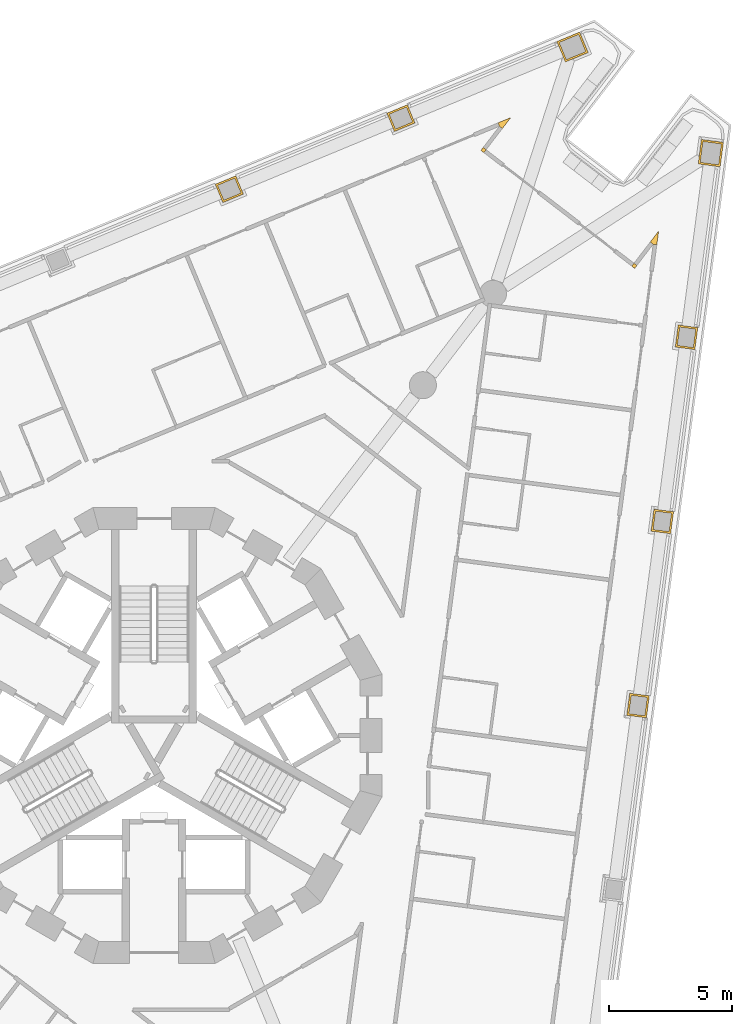
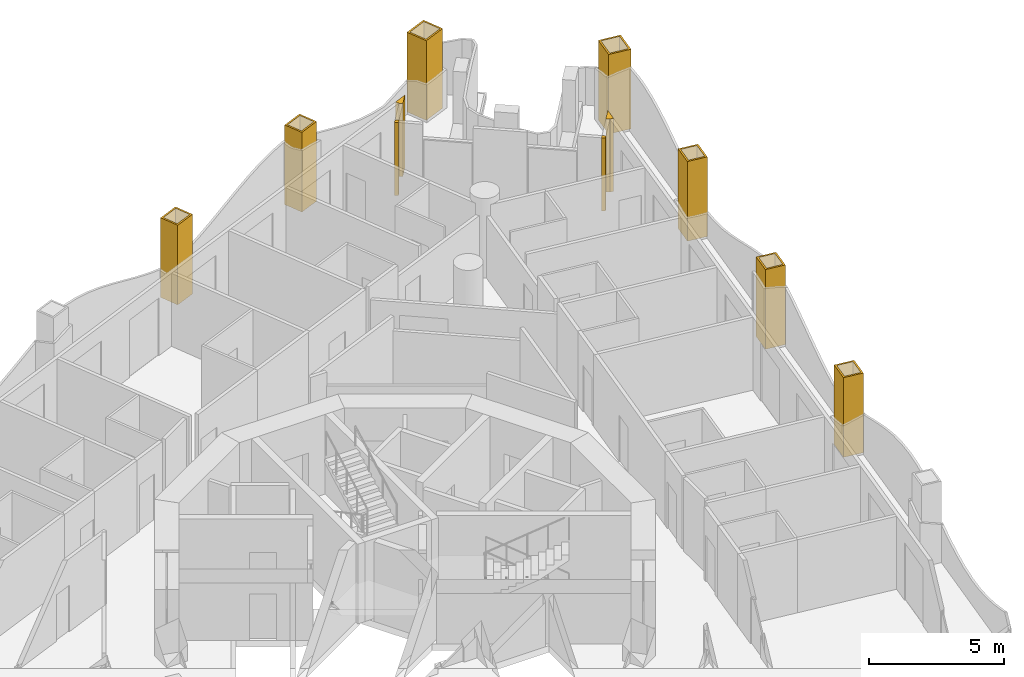
# One storey, part 17 of 18: 11 coverings.
"""IFC4 building model written with IfcOpenShell, lengths in metres."""

import ifcopenshell
import ifcopenshell.guid

model = None  # the IFC model being written
_history = None  # IfcOwnerHistory: only IFC2X3 demands one
_inside = {}  # id of a spatial element -> (the spatial element, [elements in it])
_under = {}  # id of a project, library or spatial element -> (it, [spatial elements below it])
_declared = {}  # id of a project -> (the project, [libraries it declares])
_typed = {}  # id of a type object -> (the type object, [elements of that type])
_made_of = {}  # id of a material, layer set ... -> (it, [elements and type objects made of it])


def new_model(schema):
    """Start an empty IFC model of exactly this schema.

    Asked for "IFC4X3", IfcOpenShell would pick the latest addendum, in which some entities
    have other attributes; the version numbers below select the first issue.
    IFC2X3 requires an IfcOwnerHistory on every rooted entity: one is made here for all.
    """
    global model, _history
    if schema == "IFC4X3":
        model = ifcopenshell.file(schema_version=(4, 3, 0, 0))
    else:
        model = ifcopenshell.file(schema=schema)
    _inside.clear()
    _under.clear()
    _declared.clear()
    _typed.clear()
    _made_of.clear()
    _history = None
    if model.schema == "IFC2X3":
        org = make("IfcOrganization", Name="unknown")
        user = make(
            "IfcPersonAndOrganization",
            ThePerson=make("IfcPerson", FamilyName="unknown"),
            TheOrganization=org,
        )
        app = make(
            "IfcApplication",
            ApplicationDeveloper=org,
            Version="unknown",
            ApplicationFullName="unknown",
            ApplicationIdentifier="unknown",
        )
        _history = make(
            "IfcOwnerHistory",
            OwningUser=user,
            OwningApplication=app,
            ChangeAction="ADDED",
            CreationDate=0,
        )
    return model


def make(cls, **values):
    """One entity of the class cls with the attributes given. An attribute that is None is left unset."""
    return model.create_entity(
        cls, **{name: value for name, value in values.items() if value is not None}
    )


def rooted(cls, **values):
    """An entity with a GlobalId (a new one), such as an element, a storey or a relation."""
    return make(cls, GlobalId=ifcopenshell.guid.new(), OwnerHistory=_history, **values)


def si_unit(unit_type, name, prefix=None):
    """IfcSIUnit, for example si_unit("LENGTHUNIT", "METRE", prefix="MILLI")."""
    return make("IfcSIUnit", UnitType=unit_type, Prefix=prefix, Name=name)


def assignment(units):
    """IfcUnitAssignment: the units of a project."""
    return None if units is None else make("IfcUnitAssignment", Units=units)


def point(xyz):
    """IfcCartesianPoint."""
    return None if xyz is None else make("IfcCartesianPoint", Coordinates=xyz)


def direction(xyz):
    """IfcDirection."""
    return None if xyz is None else make("IfcDirection", DirectionRatios=xyz)


def frame(location, z_axis=None, x_axis=None):
    """IfcAxis2Placement3D, a coordinate frame: its origin and axes. An axis left out is left unset."""
    return make(
        "IfcAxis2Placement3D",
        Location=point(location),
        Axis=direction(z_axis),
        RefDirection=direction(x_axis),
    )


def origin():
    """The frame at (0, 0, 0) with its axes left unset."""
    return frame((0.0, 0.0, 0.0))


def place(relative_to, where):
    """IfcLocalPlacement: puts the frame where relative to a parent placement (None: the world)."""
    return make(
        "IfcLocalPlacement", PlacementRelTo=relative_to, RelativePlacement=where
    )


def context(
    kind, dimensions, precision=None, world=None, true_north=None, identifier=None
):
    """IfcGeometricRepresentationContext, for example the 3D "Model" context."""
    return make(
        "IfcGeometricRepresentationContext",
        ContextIdentifier=identifier,
        ContextType=kind,
        CoordinateSpaceDimension=dimensions,
        Precision=precision,
        WorldCoordinateSystem=world,
        TrueNorth=true_north,
    )


def subcontext(parent, identifier, kind, view, scale=None):
    """IfcGeometricRepresentationSubContext, for example "Body" below "Model"."""
    return make(
        "IfcGeometricRepresentationSubContext",
        ContextIdentifier=identifier,
        ContextType=kind,
        ParentContext=parent,
        TargetScale=scale,
        TargetView=view,
    )


def project(units=None, contexts=None):
    """IfcProject with its units and contexts."""
    return rooted(
        "IfcProject",
        Name="project",
        RepresentationContexts=contexts,
        UnitsInContext=assignment(units),
    )


def spatial(cls, under=None, at=None, **own):
    """A site, building, storey or space (cls), placed at a placement, below another one or the project."""
    s = rooted(cls, ObjectPlacement=at, **own)
    if under is not None:
        _under.setdefault(under.id(), (under, []))[1].append(s)
    return s


def polyline(points):
    """IfcPolyline through the points."""
    return make("IfcPolyline", Points=[point(p) for p in points])


def outline(outer, holes=None, kind="AREA"):
    """IfcArbitraryClosedProfileDef: a profile drawn as a closed curve; with holes, ...WithVoids."""
    if holes is None:
        return make("IfcArbitraryClosedProfileDef", ProfileType=kind, OuterCurve=outer)
    return make(
        "IfcArbitraryProfileDefWithVoids",
        ProfileType=kind,
        OuterCurve=outer,
        InnerCurves=holes,
    )


def extrude(swept, where, along, depth):
    """IfcExtrudedAreaSolid: the profile swept, set in the frame where, extruded along a direction by depth."""
    return make(
        "IfcExtrudedAreaSolid",
        SweptArea=swept,
        Position=where,
        ExtrudedDirection=direction(along),
        Depth=depth,
    )


def shape(context_of_items, identifier, shape_type, items):
    """IfcShapeRepresentation: the items that make up one representation, for example the "Body"."""
    return make(
        "IfcShapeRepresentation",
        ContextOfItems=context_of_items,
        RepresentationIdentifier=identifier,
        RepresentationType=shape_type,
        Items=items,
    )


def material(Name=None, Category=None):
    """IfcMaterial."""
    return make("IfcMaterial", Name=Name, Category=Category)


def layer(
    of_material, thickness, ventilated=None, Name=None, Category=None, Priority=None
):
    """IfcMaterialLayer: one layer of a wall or slab, of a material (None: an air gap)."""
    return make(
        "IfcMaterialLayer",
        Material=of_material,
        LayerThickness=thickness,
        IsVentilated=ventilated,
        Name=Name,
        Category=Category,
        Priority=Priority,
    )


def layer_set(layers, Name=None):
    """IfcMaterialLayerSet."""
    return make("IfcMaterialLayerSet", MaterialLayers=layers, LayerSetName=Name)


def made_of(thing, what):
    """Note that an element or type object is made of a material, layer set ...; save() writes the relation."""
    if what is not None:
        _made_of.setdefault(what.id(), (what, []))[1].append(thing)
    return thing


def type_object(cls, material=None, **own):
    """A type object (cls), such as IfcWallType, which elements share."""
    return made_of(rooted(cls, **own), material)


def element(
    cls,
    number,
    at=None,
    inside=None,
    cuts=None,
    type_object=None,
    material=None,
    context=None,
    identifier="Body",
    shape_type=None,
    held_by="IfcProductDefinitionShape",
    body=None,
    shapes=None,
    **own,
):
    """One element of the class cls, such as IfcWall. Its Tag is "e" and its number.

    at: its placement. inside: the storey or other place that contains it. cuts: it is an
    opening in that element (IfcRelVoidsElement). A single representation is given by context,
    identifier, shape_type and body (its items); several are given by shapes. held_by: the class
    of the entity that holds the representations. save() writes the other relations.
    """
    e = rooted(cls, Tag="e%d" % number, ObjectPlacement=at, **own)
    if body is not None:
        shapes = [shape(context, identifier, shape_type, body)]
    if shapes is not None:
        e.Representation = make(held_by, Representations=shapes)
    if inside is not None:
        _inside.setdefault(inside.id(), (inside, []))[1].append(e)
    if cuts is not None:
        rooted(
            "IfcRelVoidsElement", RelatingBuildingElement=cuts, RelatedOpeningElement=e
        )
    if type_object is not None:
        _typed.setdefault(type_object.id(), (type_object, []))[1].append(e)
    return made_of(e, material)


def aggregate(whole, parts):
    """IfcRelAggregates: a whole, such as a stair, and the parts it consists of."""
    return rooted("IfcRelAggregates", RelatingObject=whole, RelatedObjects=parts)


def save(model, path):
    """Write the relations noted so far, then the file.

    IfcRelAggregates (storeys below a building ...), IfcRelContainedInSpatialStructure (elements
    in a storey), IfcRelDefinesByType, IfcRelAssociatesMaterial and IfcRelDeclares: one each for
    every whole, place, type object, material and project.
    """
    for whole, parts in _under.values():
        aggregate(whole, parts)
    for where, things in _inside.values():
        rooted(
            "IfcRelContainedInSpatialStructure",
            RelatedElements=things,
            RelatingStructure=where,
        )
    for kind, things in _typed.values():
        rooted("IfcRelDefinesByType", RelatedObjects=things, RelatingType=kind)
    for what, things in _made_of.values():
        rooted("IfcRelAssociatesMaterial", RelatedObjects=things, RelatingMaterial=what)
    for by, libraries in _declared.values():
        rooted("IfcRelDeclares", RelatingContext=by, RelatedDefinitions=libraries)
    model.write(path)


model = new_model("IFC4")

# Units and contexts
model_context = context("Model", 3, precision=1e-05, world=origin(), true_north=direction((0.0, 1.0)))
body_context = subcontext(model_context, "Body", "Model", "MODEL_VIEW")
ifc_project = project(units=[si_unit("LENGTHUNIT", "METRE"), si_unit("AREAUNIT", "SQUARE_METRE"), si_unit("VOLUMEUNIT", "CUBIC_METRE"), si_unit("PLANEANGLEUNIT", "RADIAN"), si_unit("MASSUNIT", "GRAM", prefix="KILO")], contexts=[model_context])

# Site, building, storey
site_placement = place(None, origin())
site = spatial("IfcSite", under=ifc_project, at=site_placement, CompositionType="ELEMENT")
building_placement = place(site_placement, origin())
building = spatial("IfcBuilding", under=site, at=building_placement, Name="Trine Commons Tower", CompositionType="ELEMENT")
storey_placement = place(building_placement, frame((0.0, 0.0, 145.800048828125)))
storey = spatial("IfcBuildingStorey", under=building, at=storey_placement, Name="L37", CompositionType="ELEMENT", Elevation=145.800048828125)

# Coverings
ifc_material_1 = material(Name="Aluminium-framed insulated wall panel", Category="aluminium")
ifc_layer_1 = layer(ifc_material_1, 0.14990234375)
ifc_layer_set_1 = layer_set([ifc_layer_1], Name="Aluminium-framed insulated wall panel")
covering_type_1 = type_object("IfcCoveringType", Name="Glazing corner post, aluminium", PredefinedType="CLADDING", material=ifc_layer_set_1)
covering_1_placement = place(storey_placement, origin())
element("IfcCovering", 1, at=covering_1_placement, inside=storey, type_object=covering_type_1, Name="Glazing corner post 4-05", PredefinedType="CLADDING", context=body_context, shape_type="SweptSolid", body=[
    extrude(outline(polyline([(94.04248046875, 87.272705078125), (94.04248046875, 87.272705078125), (94.16162109375, 87.181396484375), (94.50244140625, 87.62548828125), (93.985107421875, 87.411376953125), (94.04248046875, 87.272705078125)])), origin(), (0.0, 0.0, 1.0), 3.300048828125),
])
covering_2_placement = place(storey_placement, origin())
element("IfcCovering", 2, at=covering_2_placement, inside=storey, type_object=covering_type_1, Name="Glazing corner post 4-06", PredefinedType="CLADDING", context=body_context, shape_type="SweptSolid", body=[
    extrude(outline(polyline([(93.4091796875, 86.201171875), (93.50048828125, 86.320068359375), (93.381591796875, 86.411376953125), (93.290283203125, 86.29248046875), (93.4091796875, 86.201171875)])), origin(), (0.0, 0.0, 1.0), 3.300048828125),
])
covering_3_placement = place(storey_placement, origin())
element("IfcCovering", 3, at=covering_3_placement, inside=storey, type_object=covering_type_1, Name="Glazing corner post 4-07", PredefinedType="CLADDING", context=body_context, shape_type="SweptSolid", body=[
    extrude(outline(polyline([(99.4228515625, 81.586669921875), (99.5419921875, 81.495361328125), (99.63330078125, 81.614501953125), (99.514404296875, 81.705810546875), (99.4228515625, 81.586669921875)])), origin(), (0.0, 0.0, 1.0), 3.300048828125),
])
covering_4_placement = place(storey_placement, origin())
element("IfcCovering", 4, at=covering_4_placement, inside=storey, type_object=covering_type_1, Name="Glazing corner post 4-08", PredefinedType="CLADDING", context=body_context, shape_type="SweptSolid", body=[
    extrude(outline(polyline([(100.44287109375, 82.456298828125), (100.51611328125, 83.01123046875), (100.17529296875, 82.567138671875), (100.294189453125, 82.475830078125), (100.44287109375, 82.456298828125)])), origin(), (0.0, 0.0, 1.0), 3.300048828125),
])
ifc_material_2 = material(Name="Limestone, honed", Category="masonry")
ifc_layer_2 = layer(ifc_material_2, 0.074951171875)
ifc_layer_set_2 = layer_set([ifc_layer_2], Name="Limestone, honed")
covering_type_2 = type_object("IfcCoveringType", Name="Limestone column cladding 75", PredefinedType="CLADDING", material=ifc_layer_set_2)
covering_5_placement = place(storey_placement, origin())
element("IfcCovering", 5, at=covering_5_placement, inside=storey, type_object=covering_type_2, Name="Limestone pier cladding 4-14", PredefinedType="CLADDING", context=body_context, shape_type="SweptSolid", body=[
    extrude(outline(polyline([(83.62841796875, 84.517822265625), (83.322265625, 85.2568359375), (82.49072265625, 84.912353515625), (82.796875, 84.17333984375), (83.62841796875, 84.517822265625)]), holes=[polyline([(83.5302734375, 84.558349609375), (83.281494140625, 85.158935546875), (82.588623046875, 84.871826171875), (82.83740234375, 84.271240234375), (83.5302734375, 84.558349609375)])]), origin(), (0.0, 0.0, 1.0), 3.599853515625),
])
covering_6_placement = place(storey_placement, origin())
element("IfcCovering", 6, at=covering_6_placement, inside=storey, type_object=covering_type_2, Name="Limestone pier cladding 4-15", PredefinedType="CLADDING", context=body_context, shape_type="SweptSolid", body=[
    extrude(outline(polyline([(90.60546875, 87.40771484375), (90.29931640625, 88.14697265625), (89.4677734375, 87.802490234375), (89.77392578125, 87.063232421875), (90.60546875, 87.40771484375)]), holes=[polyline([(90.50732421875, 87.4482421875), (90.2587890625, 88.048828125), (89.56591796875, 87.761962890625), (89.814453125, 87.161376953125), (90.50732421875, 87.4482421875)])]), origin(), (0.0, 0.0, 1.0), 3.599853515625),
])
covering_7_placement = place(storey_placement, origin())
element("IfcCovering", 7, at=covering_7_placement, inside=storey, type_object=covering_type_2, Name="Limestone pier cladding 4-16", PredefinedType="CLADDING", context=body_context, shape_type="SweptSolid", body=[
    extrude(outline(polyline([(97.647705078125, 90.270751953125), (97.30322265625, 91.102294921875), (96.37939453125, 90.719482421875), (96.723876953125, 89.887939453125), (97.647705078125, 90.270751953125)]), holes=[polyline([(97.5498046875, 90.311279296875), (97.2626953125, 91.004150390625), (96.477294921875, 90.678955078125), (96.764404296875, 89.986083984375), (97.5498046875, 90.311279296875)])]), origin(), (0.0, 0.0, 1.0), 3.599853515625),
])
covering_8_placement = place(storey_placement, origin())
element("IfcCovering", 8, at=covering_8_placement, inside=storey, type_object=covering_type_2, Name="Limestone pier cladding 4-17", PredefinedType="CLADDING", context=body_context, shape_type="SweptSolid", body=[
    extrude(outline(polyline([(103.149169921875, 86.61669921875), (102.2568359375, 86.734130859375), (102.126220703125, 85.74267578125), (103.0185546875, 85.625), (103.149169921875, 86.61669921875)]), holes=[polyline([(103.06494140625, 86.552001953125), (102.3212890625, 86.64990234375), (102.21044921875, 85.80712890625), (102.9541015625, 85.709228515625), (103.06494140625, 86.552001953125)])]), origin(), (0.0, 0.0, 1.0), 3.599853515625),
])
covering_9_placement = place(storey_placement, origin())
element("IfcCovering", 9, at=covering_9_placement, inside=storey, type_object=covering_type_2, Name="Limestone pier cladding 4-18", PredefinedType="CLADDING", context=body_context, shape_type="SweptSolid", body=[
    extrude(outline(polyline([(102.107421875, 79.086181640625), (101.314208984375, 79.190673828125), (101.19677734375, 78.29833984375), (101.98974609375, 78.19384765625), (102.107421875, 79.086181640625)]), holes=[polyline([(102.023193359375, 79.021484375), (101.378662109375, 79.1064453125), (101.28076171875, 78.36279296875), (101.92529296875, 78.278076171875), (102.023193359375, 79.021484375)])]), origin(), (0.0, 0.0, 1.0), 3.599853515625),
])
covering_10_placement = place(storey_placement, origin())
element("IfcCovering", 10, at=covering_10_placement, inside=storey, type_object=covering_type_2, Name="Limestone pier cladding 4-19", PredefinedType="CLADDING", context=body_context, shape_type="SweptSolid", body=[
    extrude(outline(polyline([(101.12158203125, 71.598876953125), (100.328369140625, 71.703369140625), (100.2109375, 70.81103515625), (101.00390625, 70.70654296875), (101.12158203125, 71.598876953125)]), holes=[polyline([(101.037353515625, 71.5341796875), (100.392822265625, 71.619140625), (100.294921875, 70.87548828125), (100.939453125, 70.790771484375), (101.037353515625, 71.5341796875)])]), origin(), (0.0, 0.0, 1.0), 3.599853515625),
])
covering_11_placement = place(storey_placement, origin())
element("IfcCovering", 11, at=covering_11_placement, inside=storey, type_object=covering_type_2, Name="Limestone pier cladding 4-20", PredefinedType="CLADDING", context=body_context, shape_type="SweptSolid", body=[
    extrude(outline(polyline([(100.1357421875, 64.111572265625), (99.3427734375, 64.216064453125), (99.22509765625, 63.32373046875), (100.018310546875, 63.21923828125), (100.1357421875, 64.111572265625)]), holes=[polyline([(100.0517578125, 64.047119140625), (99.4072265625, 64.1318359375), (99.309326171875, 63.38818359375), (99.953857421875, 63.303466796875), (100.0517578125, 64.047119140625)])]), origin(), (0.0, 0.0, 1.0), 3.599853515625),
])

save(model, "model.ifc")
